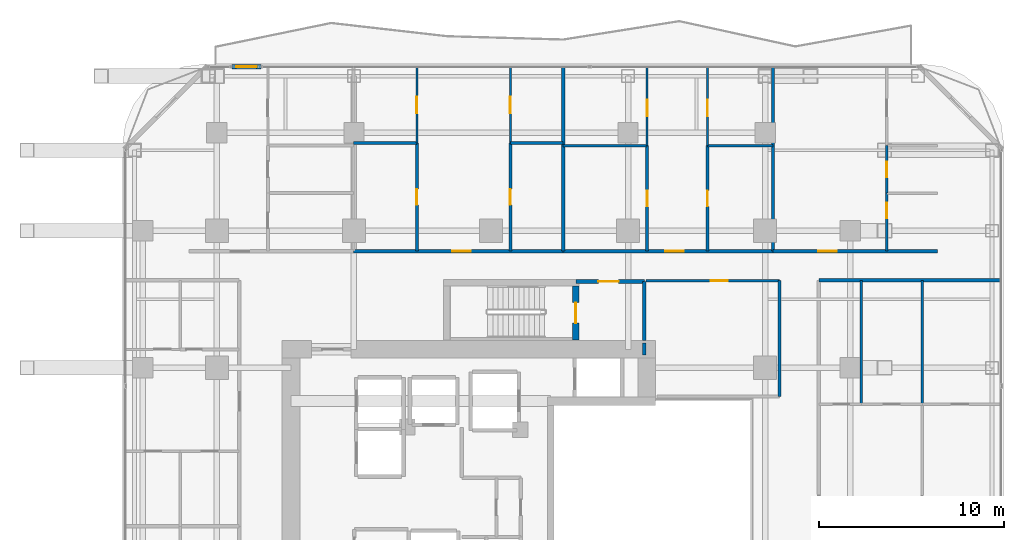
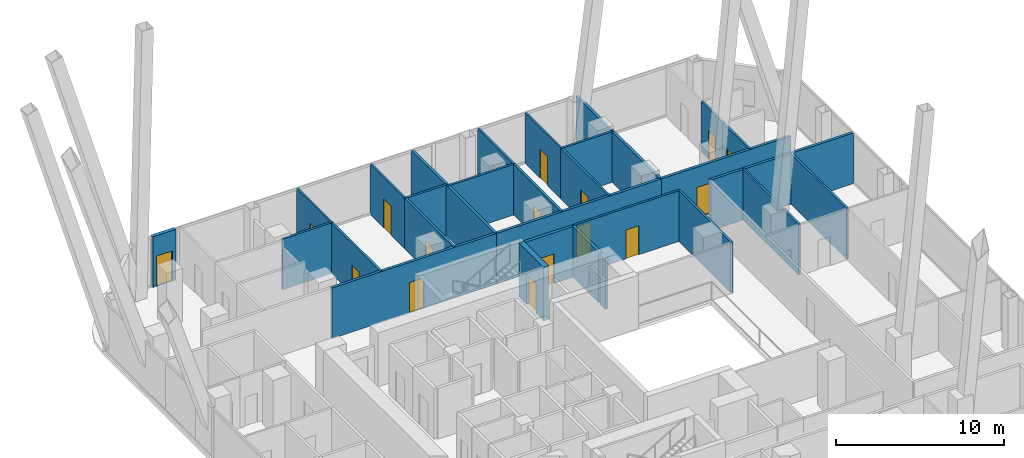
# One storey, part 28 of 32: 29 walls, 17 doors, 17 openings.
"""IFC4 building model written with IfcOpenShell, lengths in metres."""

from ifc_helpers import new_model, si_unit, direction, frame, frame_2d, origin, place, context, subcontext, project, spatial, rectangle, extrude, material, layer, layer_set, type_object, element, fill, save


model = new_model("IFC4")

# Units and contexts
model_context = context("Model", 3, precision=1e-05, world=origin(), true_north=direction((0.0, 1.0)))
body_context = subcontext(model_context, "Body", "Model", "MODEL_VIEW")
ifc_project = project(units=[si_unit("LENGTHUNIT", "METRE"), si_unit("AREAUNIT", "SQUARE_METRE"), si_unit("VOLUMEUNIT", "CUBIC_METRE"), si_unit("PLANEANGLEUNIT", "RADIAN"), si_unit("MASSUNIT", "GRAM", prefix="KILO")], contexts=[model_context])

# Site, building, storey
site_placement = place(None, origin())
site = spatial("IfcSite", under=ifc_project, at=site_placement, CompositionType="ELEMENT")
building_placement = place(site_placement, origin())
building = spatial("IfcBuilding", under=site, at=building_placement, Name="Khorvyn Point Tower", CompositionType="ELEMENT")
storey_placement = place(building_placement, frame((0.0, 0.0, 148.5)))
storey = spatial("IfcBuildingStorey", under=building, at=storey_placement, Name="L37", CompositionType="ELEMENT", Elevation=148.5)

# Wall, opening, door
ifc_material_1 = material(Name="Double acoustic gypsum on twin steel stud", Category="steel")
ifc_layer_1 = layer(ifc_material_1, 0.179931640625)
ifc_layer_set_1 = layer_set([ifc_layer_1], Name="Acoustic Double-Stud Apartment Demising Wall 180")
wall_type_1 = type_object("IfcWallType", Name="Acoustic Double-Stud Apartment Demising Wall 180", PredefinedType="PARTITIONING", material=ifc_layer_set_1)
wall_1_placement = place(storey_placement, frame((-7.423095703125, 13.699951171875, 0.0), z_axis=(0.0, 0.0, 1.0), x_axis=(1.0, 0.0, 0.0)))
wall_1 = element("IfcWall", 1, at=wall_1_placement, inside=storey, type_object=wall_type_1, Name="Wall", PredefinedType="PARTITIONING", context=body_context, shape_type="SweptSolid", body=[
    extrude(rectangle(XDim=11.322998046875, YDim=0.179931640625, at=frame_2d((5.66162109375, 0.0))), origin(), (0.0, 0.0, 1.0), 3.679931640625),
])
opening_1_placement = place(wall_1_placement, frame((5.340087890625, 0.0, 0.0)))
opening_1 = element("IfcOpeningElement", 2, at=opening_1_placement, cuts=wall_1, Name="Opening ID-AP60", PredefinedType="OPENING", context=body_context, shape_type="SweptSolid", body=[
    extrude(rectangle(XDim=1.0, YDim=2.199951171875, at=frame_2d((0.5, 1.10009765625))), frame((0.0, 0.099853515625, 0.0), z_axis=(0.0, -1.0, 0.0), x_axis=(1.0, 0.0, 0.0)), (0.0, 0.0, 1.0), 0.199951171875),
])
ifc_material_2 = material(Name="Engineered hardwood fire-rated leaf", Category="wood")
door_type_1 = type_object("IfcDoorType", Name="Acoustic Solid-Core Timber Apartment Entrance Door 1000x2200", OperationType="NOTDEFINED", PredefinedType="DOOR", material=ifc_material_2)
door_1_placement = place(opening_1_placement, origin())
door_1 = element("IfcDoor", 3, at=door_1_placement, inside=storey, type_object=door_type_1, Name="Door", OperationType="SINGLE_SWING_LEFT", OverallHeight=2.199951171875, OverallWidth=1.0, PredefinedType="DOOR", context=body_context, shape_type="SweptSolid", body=[
    extrude(rectangle(XDim=1.0, YDim=2.199951171875, at=frame_2d((0.5, 1.10009765625))), frame((0.0, 0.02490234375, 0.0), z_axis=(0.0, -1.0, 0.0), x_axis=(1.0, 0.0, 0.0)), (0.0, 0.0, 1.0), 0.050048828125),
])
fill(opening_1, door_1)

wall_2_placement = place(storey_placement, frame((3.89990234375, 13.699951171875, 0.0), z_axis=(0.0, 0.0, 1.0), x_axis=(1.0, 0.0, 0.0)))
wall_2 = element("IfcWall", 4, at=wall_2_placement, inside=storey, type_object=wall_type_1, Name="Wall", PredefinedType="PARTITIONING", context=body_context, shape_type="SweptSolid", body=[
    extrude(rectangle(XDim=11.322998046875, YDim=0.179931640625, at=frame_2d((5.66162109375, 0.0))), origin(), (0.0, 0.0, 1.0), 3.679931640625),
])
opening_2_placement = place(wall_2_placement, frame((5.518798828125, 0.0, 0.0)))
opening_2 = element("IfcOpeningElement", 5, at=opening_2_placement, cuts=wall_2, Name="Opening ID-AP60", PredefinedType="OPENING", context=body_context, shape_type="SweptSolid", body=[
    extrude(rectangle(XDim=1.0, YDim=2.199951171875, at=frame_2d((0.5, 1.10009765625))), frame((0.0, 0.099853515625, 0.0), z_axis=(0.0, -1.0, 0.0), x_axis=(1.0, 0.0, 0.0)), (0.0, 0.0, 1.0), 0.199951171875),
])
door_2_placement = place(opening_2_placement, origin())
door_2 = element("IfcDoor", 6, at=door_2_placement, inside=storey, type_object=door_type_1, Name="Door", OperationType="SINGLE_SWING_RIGHT", OverallHeight=2.199951171875, OverallWidth=1.0, PredefinedType="DOOR", context=body_context, shape_type="SweptSolid", body=[
    extrude(rectangle(XDim=1.0, YDim=2.199951171875, at=frame_2d((0.5, 1.10009765625))), frame((0.0, 0.02490234375, 0.0), z_axis=(0.0, -1.0, 0.0), x_axis=(1.0, 0.0, 0.0)), (0.0, 0.0, 1.0), 0.050048828125),
])
fill(opening_2, door_2)

wall_3_placement = place(storey_placement, frame((15.222900390625, 13.699951171875, 0.0), z_axis=(0.0, 0.0, 1.0), x_axis=(1.0, 0.0, 0.0)))
wall_3 = element("IfcWall", 7, at=wall_3_placement, inside=storey, type_object=wall_type_1, Name="Wall", PredefinedType="PARTITIONING", context=body_context, shape_type="SweptSolid", body=[
    extrude(rectangle(XDim=8.897216796875, YDim=0.179931640625, at=frame_2d((4.44873046875, 0.0))), origin(), (0.0, 0.0, 1.0), 3.679931640625),
])
opening_3_placement = place(wall_3_placement, frame((2.45068359375, 0.0, 0.0)))
opening_3 = element("IfcOpeningElement", 8, at=opening_3_placement, cuts=wall_3, Name="Opening ID-AP60", PredefinedType="OPENING", context=body_context, shape_type="SweptSolid", body=[
    extrude(rectangle(XDim=1.0, YDim=2.199951171875, at=frame_2d((0.5, 1.10009765625))), frame((0.0, 0.099853515625, 0.0), z_axis=(0.0, -1.0, 0.0), x_axis=(1.0, 0.0, 0.0)), (0.0, 0.0, 1.0), 0.199951171875),
])
door_3_placement = place(opening_3_placement, origin())
door_3 = element("IfcDoor", 9, at=door_3_placement, inside=storey, type_object=door_type_1, Name="Door", OperationType="SINGLE_SWING_LEFT", OverallHeight=2.199951171875, OverallWidth=1.0, PredefinedType="DOOR", context=body_context, shape_type="SweptSolid", body=[
    extrude(rectangle(XDim=1.0, YDim=2.199951171875, at=frame_2d((0.5, 1.10009765625))), frame((0.0, 0.02490234375, 0.0), z_axis=(0.0, -1.0, 0.0), x_axis=(1.0, 0.0, 0.0)), (0.0, 0.0, 1.0), 0.050048828125),
])
fill(opening_3, door_3)

# Walls
for number, where, z_axis, x_axis, name in (
    (10, (3.89990234375, 13.699951171875, 0.0), (0.0, 0.0, 1.0), (0.0, 1.0, 0.0), "Wall"),
    (11, (15.222900390625, 13.699951171875, 0.0), (0.0, 0.0, 1.0), (0.0, 1.0, 0.0), "Wall"),
):
    element("IfcWall", number, at=place(storey_placement, frame(where, z_axis=z_axis, x_axis=x_axis)), inside=storey, type_object=wall_type_1, Name=name, PredefinedType="PARTITIONING", context=body_context, shape_type="SweptSolid", body=[
        extrude(rectangle(XDim=9.929931640625, YDim=0.179931640625, at=frame_2d((4.96484375, 0.0))), origin(), (0.0, 0.0, 1.0), 3.679931640625),
    ])
wall_4_placement = place(storey_placement, frame((17.699951171875, 12.1201171875, 0.0), z_axis=(0.0, 0.0, 1.0), x_axis=(1.0, 0.0, 0.0)))
element("IfcWall", 12, at=wall_4_placement, inside=storey, type_object=wall_type_1, Name="Wall", PredefinedType="PARTITIONING", context=body_context, shape_type="SweptSolid", body=[
    extrude(rectangle(XDim=9.830078125, YDim=0.179931640625, at=frame_2d((4.9150390625, 0.0))), origin(), (0.0, 0.0, 1.0), 3.679931640625),
])

# Wall, opening, door
ifc_material_3 = material(Name="Pale anodised aluminium rainscreen on steel stud", Category="steel")
ifc_layer_2 = layer(ifc_material_3, 0.239990234375)
ifc_layer_set_2 = layer_set([ifc_layer_2], Name="Anodised Aluminium Insulated Corner Spandrel Wall 240")
wall_type_2 = type_object("IfcWallType", Name="Anodised Aluminium Insulated Corner Spandrel Wall 240", PredefinedType="SOLIDWALL", material=ifc_layer_set_2)
wall_5_placement = place(storey_placement, frame((-13.9990234375, 23.64990234375, 0.0), z_axis=(0.0, 0.0, 1.0), x_axis=(1.0, 0.0, 0.0)))
wall_5 = element("IfcWall", 13, at=wall_5_placement, inside=storey, type_object=wall_type_2, Name="L37 North Outdoor Threshold Wall", PredefinedType="SOLIDWALL", context=body_context, shape_type="SweptSolid", body=[
    extrude(rectangle(XDim=1.580078125, YDim=0.239990234375, at=frame_2d((0.7900390625, 0.0))), origin(), (0.0, 0.0, 1.0), 3.679931640625),
])
opening_4_placement = place(wall_5_placement, frame((0.239990234375, 0.0, 0.0)))
opening_4 = element("IfcOpeningElement", 14, at=opening_4_placement, cuts=wall_5, Name="Opening BD-1122", PredefinedType="OPENING", context=body_context, shape_type="SweptSolid", body=[
    extrude(rectangle(XDim=1.10009765625, YDim=2.199951171875, at=frame_2d((0.550048828125, 1.10009765625))), frame((0.0, 0.1298828125, 0.0), z_axis=(0.0, -1.0, 0.0), x_axis=(1.0, 0.0, 0.0)), (0.0, 0.0, 1.0), 0.260009765625),
])
ifc_material_4 = material(Name="Anodised aluminium 6063-T6 and laminated Low-E glass", Category="aluminium")
door_type_2 = type_object("IfcDoorType", Name="Glazed Balcony and Terrace Threshold Door 1100x2200", OperationType="NOTDEFINED", PredefinedType="DOOR", material=ifc_material_4)
door_4_placement = place(opening_4_placement, origin())
door_4 = element("IfcDoor", 15, at=door_4_placement, inside=storey, type_object=door_type_2, Name="L37 North Glazed Balcony Outdoor Door", OperationType="SINGLE_SWING_LEFT", OverallHeight=2.199951171875, OverallWidth=1.10009765625, PredefinedType="DOOR", context=body_context, shape_type="SweptSolid", body=[
    extrude(rectangle(XDim=1.10009765625, YDim=2.199951171875, at=frame_2d((0.550048828125, 1.10009765625))), frame((0.0, 0.02490234375, 0.0), z_axis=(0.0, -1.0, 0.0), x_axis=(1.0, 0.0, 0.0)), (0.0, 0.0, 1.0), 0.050048828125),
])
fill(opening_4, door_4)

ifc_material_5 = material(Name="Concrete C40/50", Category="concrete")
ifc_layer_3 = layer(ifc_material_5, 0.199951171875)
ifc_layer_set_3 = layer_set([ifc_layer_3], Name="Concrete C40/50 Fire-Lobby Compartment Wall 200")
wall_type_3 = type_object("IfcWallType", Name="Concrete C40/50 Fire-Lobby Compartment Wall 200", PredefinedType="SOLIDWALL", material=ifc_layer_set_3)
wall_6_placement = place(storey_placement, frame((4.580078125, 12.06005859375, 0.0), z_axis=(0.0, 0.0, 1.0), x_axis=(1.0, 0.0, 0.0)))
wall_6 = element("IfcWall", 16, at=wall_6_placement, inside=storey, type_object=wall_type_3, Name="Wall", PredefinedType="SOLIDWALL", context=body_context, shape_type="SweptSolid", body=[
    extrude(rectangle(XDim=3.699951171875, YDim=0.199951171875, at=frame_2d((1.85009765625, 0.0))), origin(), (0.0, 0.0, 1.0), 3.679931640625),
])
opening_5_placement = place(wall_6_placement, frame((1.21240234375, 0.0, 0.0)))
opening_5 = element("IfcOpeningElement", 17, at=opening_5_placement, cuts=wall_6, Name="Opening ID-FL90", PredefinedType="OPENING", context=body_context, shape_type="SweptSolid", body=[
    extrude(rectangle(XDim=1.10009765625, YDim=2.14990234375, at=frame_2d((0.550048828125, 1.074951171875))), frame((0.0, 0.10986328125, 0.0), z_axis=(0.0, -1.0, 0.0), x_axis=(1.0, 0.0, 0.0)), (0.0, 0.0, 1.0), 0.219970703125),
])
ifc_material_6 = material(Name="Galvanised powder-coated steel", Category="steel")
door_type_3 = type_object("IfcDoorType", Name="Fire-Rated Steel Lobby and Stair Door 1100x2150", OperationType="NOTDEFINED", PredefinedType="DOOR", material=ifc_material_6)
door_5_placement = place(opening_5_placement, origin())
door_5 = element("IfcDoor", 18, at=door_5_placement, inside=storey, type_object=door_type_3, Name="Door", OperationType="SINGLE_SWING_LEFT", OverallHeight=2.14990234375, OverallWidth=1.10009765625, PredefinedType="DOOR", context=body_context, shape_type="SweptSolid", body=[
    extrude(rectangle(XDim=1.10009765625, YDim=2.14990234375, at=frame_2d((0.550048828125, 1.074951171875))), frame((0.0, 0.02490234375, 0.0), z_axis=(0.0, -1.0, 0.0), x_axis=(1.0, 0.0, 0.0)), (0.0, 0.0, 1.0), 0.050048828125),
])
fill(opening_5, door_5)

# Walls
wall_7_placement = place(storey_placement, frame((8.280029296875, 8.875, 0.0), z_axis=(0.0, 0.0, 1.0), x_axis=(0.0, 1.0, 0.0)))
element("IfcWall", 19, at=wall_7_placement, inside=storey, type_object=wall_type_3, Name="Wall", PredefinedType="SOLIDWALL", context=body_context, shape_type="SweptSolid", body=[
    extrude(rectangle(XDim=3.18505859375, YDim=0.199951171875, at=frame_2d((1.592529296875, 0.0))), origin(), (0.0, 0.0, 1.0), 3.679931640625),
])
wall_8_placement = place(storey_placement, frame((8.280029296875, 8.10009765625, 0.0), z_axis=(0.0, 0.0, 1.0), x_axis=(0.0, 1.0, 0.0)))
element("IfcWall", 20, at=wall_8_placement, inside=storey, type_object=wall_type_3, Name="Wall", PredefinedType="SOLIDWALL", context=body_context, shape_type="SweptSolid", body=[
    extrude(rectangle(XDim=0.625, YDim=0.199951171875, at=frame_2d((0.3125, 0.0))), origin(), (0.0, 0.0, 1.0), 3.679931640625),
])

# Wall, opening, door
ifc_layer_4 = layer(ifc_material_5, 0.35009765625)
ifc_layer_set_4 = layer_set([ifc_layer_4], Name="Concrete C40/50 Stair Shaft Structural Wall 350")
wall_type_4 = type_object("IfcWallType", Name="Concrete C40/50 Stair Shaft Structural Wall 350", PredefinedType="SHEAR", material=ifc_layer_set_4)
wall_9_placement = place(storey_placement, frame((4.580078125, 11.824951171875, 0.0), z_axis=(0.0, 0.0, 1.0), x_axis=(0.0, -1.0, 0.0)))
wall_9 = element("IfcWall", 21, at=wall_9_placement, inside=storey, type_object=wall_type_4, Name="L37 ST-02 East Landing Door Wall", PredefinedType="SHEAR", context=body_context, shape_type="SweptSolid", body=[
    extrude(rectangle(XDim=2.925048828125, YDim=0.35009765625, at=frame_2d((1.46240234375, 0.0))), origin(), (0.0, 0.0, 1.0), 3.89990234375),
])
opening_6_placement = place(wall_9_placement, frame((0.91259765625, 0.0, 0.0)))
opening_6 = element("IfcOpeningElement", 22, at=opening_6_placement, cuts=wall_9, Name="Opening ID-FL90", PredefinedType="OPENING", context=body_context, shape_type="SweptSolid", body=[
    extrude(rectangle(XDim=1.10009765625, YDim=2.14990234375, at=frame_2d((0.550048828125, 1.074951171875))), frame((0.0, 0.18505859375, 0.0), z_axis=(0.0, -1.0, 0.0), x_axis=(1.0, 0.0, 0.0)), (0.0, 0.0, 1.0), 0.3701171875),
])
door_6_placement = place(opening_6_placement, origin())
door_6 = element("IfcDoor", 23, at=door_6_placement, inside=storey, type_object=door_type_3, Name="L37 ST-02 Smokeproof Landing Door", OperationType="SINGLE_SWING_RIGHT", OverallHeight=2.14990234375, OverallWidth=1.10009765625, PredefinedType="DOOR", context=body_context, shape_type="SweptSolid", body=[
    extrude(rectangle(XDim=1.10009765625, YDim=2.14990234375, at=frame_2d((0.550048828125, 1.074951171875))), frame((0.0, 0.02490234375, 0.0), z_axis=(0.0, -1.0, 0.0), x_axis=(1.0, 0.0, 0.0)), (0.0, 0.0, 1.0), 0.050048828125),
])
fill(opening_6, door_6)

ifc_material_7 = material(Name="Gypsum plasterboard on steel stud", Category="steel")
ifc_layer_5 = layer(ifc_material_7, 0.1201171875)
ifc_layer_set_5 = layer_set([ifc_layer_5], Name="Gypsum Acoustic Stud Room Partition Wall 120")
wall_type_5 = type_object("IfcWallType", Name="Gypsum Acoustic Stud Room Partition Wall 120", PredefinedType="PARTITIONING", material=ifc_layer_set_5)
wall_10_placement = place(storey_placement, frame((-4.0009765625, 19.544921875, 0.0), z_axis=(0.0, 0.0, 1.0), x_axis=(0.0, 1.0, 0.0)))
wall_10 = element("IfcWall", 24, at=wall_10_placement, inside=storey, type_object=wall_type_5, Name="Wall", PredefinedType="PARTITIONING", context=body_context, shape_type="SweptSolid", body=[
    extrude(rectangle(XDim=4.0849609375, YDim=0.1201171875, at=frame_2d((2.04248046875, 0.0))), origin(), (0.0, 0.0, 1.0), 3.679931640625),
])
opening_7_placement = place(wall_10_placement, frame((1.592529296875, 0.0, 0.0)))
opening_7 = element("IfcOpeningElement", 25, at=opening_7_placement, cuts=wall_10, Name="Opening ID-RM90", PredefinedType="OPENING", context=body_context, shape_type="SweptSolid", body=[
    extrude(rectangle(XDim=0.89990234375, YDim=2.10009765625, at=frame_2d((0.449951171875, 1.050048828125))), frame((0.0, 0.070068359375, 0.0), z_axis=(0.0, -1.0, 0.0), x_axis=(1.0, 0.0, 0.0)), (0.0, 0.0, 1.0), 0.14013671875),
])
ifc_material_8 = material(Name="Engineered oak veneer timber", Category="wood")
door_type_4 = type_object("IfcDoorType", Name="Flush Engineered Timber Room Door 900x2100", OperationType="NOTDEFINED", PredefinedType="DOOR", material=ifc_material_8)
door_7_placement = place(opening_7_placement, origin())
door_7 = element("IfcDoor", 26, at=door_7_placement, inside=storey, type_object=door_type_4, Name="Door", OperationType="SINGLE_SWING_LEFT", OverallHeight=2.10009765625, OverallWidth=0.89990234375, PredefinedType="DOOR", context=body_context, shape_type="SweptSolid", body=[
    extrude(rectangle(XDim=0.89990234375, YDim=2.10009765625, at=frame_2d((0.449951171875, 1.050048828125))), frame((0.0, 0.02490234375, 0.0), z_axis=(0.0, -1.0, 0.0), x_axis=(1.0, 0.0, 0.0)), (0.0, 0.0, 1.0), 0.050048828125),
])
fill(opening_7, door_7)

wall_11_placement = place(storey_placement, frame((1.050048828125, 19.544921875, 0.0), z_axis=(0.0, 0.0, 1.0), x_axis=(0.0, 1.0, 0.0)))
wall_11 = element("IfcWall", 27, at=wall_11_placement, inside=storey, type_object=wall_type_5, Name="Wall", PredefinedType="PARTITIONING", context=body_context, shape_type="SweptSolid", body=[
    extrude(rectangle(XDim=4.0849609375, YDim=0.1201171875, at=frame_2d((2.04248046875, 0.0))), origin(), (0.0, 0.0, 1.0), 3.679931640625),
])
opening_8_placement = place(wall_11_placement, frame((1.592529296875, 0.0, 0.0)))
opening_8 = element("IfcOpeningElement", 28, at=opening_8_placement, cuts=wall_11, Name="Opening ID-RM90", PredefinedType="OPENING", context=body_context, shape_type="SweptSolid", body=[
    extrude(rectangle(XDim=0.89990234375, YDim=2.10009765625, at=frame_2d((0.449951171875, 1.050048828125))), frame((0.0, 0.070068359375, 0.0), z_axis=(0.0, -1.0, 0.0), x_axis=(1.0, 0.0, 0.0)), (0.0, 0.0, 1.0), 0.14013671875),
])
door_8_placement = place(opening_8_placement, origin())
door_8 = element("IfcDoor", 29, at=door_8_placement, inside=storey, type_object=door_type_4, Name="Door", OperationType="SINGLE_SWING_LEFT", OverallHeight=2.10009765625, OverallWidth=0.89990234375, PredefinedType="DOOR", context=body_context, shape_type="SweptSolid", body=[
    extrude(rectangle(XDim=0.89990234375, YDim=2.10009765625, at=frame_2d((0.449951171875, 1.050048828125))), frame((0.0, 0.02490234375, 0.0), z_axis=(0.0, -1.0, 0.0), x_axis=(1.0, 0.0, 0.0)), (0.0, 0.0, 1.0), 0.050048828125),
])
fill(opening_8, door_8)

wall_12_placement = place(storey_placement, frame((8.428955078125, 19.389892578125, 0.0), z_axis=(0.0, 0.0, 1.0), x_axis=(0.0, 1.0, 0.0)))
wall_12 = element("IfcWall", 30, at=wall_12_placement, inside=storey, type_object=wall_type_5, Name="Wall", PredefinedType="PARTITIONING", context=body_context, shape_type="SweptSolid", body=[
    extrude(rectangle(XDim=4.239990234375, YDim=0.1201171875, at=frame_2d((2.1201171875, 0.0))), origin(), (0.0, 0.0, 1.0), 3.679931640625),
])
opening_9_placement = place(wall_12_placement, frame((1.581298828125, 0.0, 0.0)))
opening_9 = element("IfcOpeningElement", 31, at=opening_9_placement, cuts=wall_12, Name="Opening ID-RM90", PredefinedType="OPENING", context=body_context, shape_type="SweptSolid", body=[
    extrude(rectangle(XDim=0.89990234375, YDim=2.10009765625, at=frame_2d((0.449951171875, 1.050048828125))), frame((0.0, 0.070068359375, 0.0), z_axis=(0.0, -1.0, 0.0), x_axis=(1.0, 0.0, 0.0)), (0.0, 0.0, 1.0), 0.14013671875),
])
door_9_placement = place(opening_9_placement, origin())
door_9 = element("IfcDoor", 32, at=door_9_placement, inside=storey, type_object=door_type_4, Name="Door", OperationType="SINGLE_SWING_RIGHT", OverallHeight=2.10009765625, OverallWidth=0.89990234375, PredefinedType="DOOR", context=body_context, shape_type="SweptSolid", body=[
    extrude(rectangle(XDim=0.89990234375, YDim=2.10009765625, at=frame_2d((0.449951171875, 1.050048828125))), frame((0.0, 0.02490234375, 0.0), z_axis=(0.0, -1.0, 0.0), x_axis=(1.0, 0.0, 0.0)), (0.0, 0.0, 1.0), 0.050048828125),
])
fill(opening_9, door_9)

wall_13_placement = place(storey_placement, frame((11.68994140625, 19.389892578125, 0.0), z_axis=(0.0, 0.0, 1.0), x_axis=(0.0, 1.0, 0.0)))
wall_13 = element("IfcWall", 33, at=wall_13_placement, inside=storey, type_object=wall_type_5, Name="Wall", PredefinedType="PARTITIONING", context=body_context, shape_type="SweptSolid", body=[
    extrude(rectangle(XDim=4.239990234375, YDim=0.1201171875, at=frame_2d((2.1201171875, 0.0))), origin(), (0.0, 0.0, 1.0), 3.679931640625),
])
opening_10_placement = place(wall_13_placement, frame((1.581298828125, 0.0, 0.0)))
opening_10 = element("IfcOpeningElement", 34, at=opening_10_placement, cuts=wall_13, Name="Opening ID-RM90", PredefinedType="OPENING", context=body_context, shape_type="SweptSolid", body=[
    extrude(rectangle(XDim=0.89990234375, YDim=2.10009765625, at=frame_2d((0.449951171875, 1.050048828125))), frame((0.0, 0.070068359375, 0.0), z_axis=(0.0, -1.0, 0.0), x_axis=(1.0, 0.0, 0.0)), (0.0, 0.0, 1.0), 0.14013671875),
])
door_10_placement = place(opening_10_placement, origin())
door_10 = element("IfcDoor", 35, at=door_10_placement, inside=storey, type_object=door_type_4, Name="Door", OperationType="SINGLE_SWING_RIGHT", OverallHeight=2.10009765625, OverallWidth=0.89990234375, PredefinedType="DOOR", context=body_context, shape_type="SweptSolid", body=[
    extrude(rectangle(XDim=0.89990234375, YDim=2.10009765625, at=frame_2d((0.449951171875, 1.050048828125))), frame((0.0, 0.02490234375, 0.0), z_axis=(0.0, -1.0, 0.0), x_axis=(1.0, 0.0, 0.0)), (0.0, 0.0, 1.0), 0.050048828125),
])
fill(opening_10, door_10)

ifc_material_9 = material(Name="Moisture-resistant gypsum and cement board", Category="gypsum")
ifc_layer_6 = layer(ifc_material_9, 0.14990234375)
ifc_layer_set_6 = layer_set([ifc_layer_6], Name="Moisture-Resistant Wet-Room Partition Wall 150")
wall_type_6 = type_object("IfcWallType", Name="Moisture-Resistant Wet-Room Partition Wall 150", PredefinedType="PARTITIONING", material=ifc_layer_set_6)
wall_14_placement = place(storey_placement, frame((8.360107421875, 12.10009765625, 0.0), z_axis=(0.0, 0.0, 1.0), x_axis=(1.0, 0.0, 0.0)))
wall_14 = element("IfcWall", 36, at=wall_14_placement, inside=storey, type_object=wall_type_6, Name="Wall", PredefinedType="PARTITIONING", context=body_context, shape_type="SweptSolid", body=[
    extrude(rectangle(XDim=7.219970703125, YDim=0.14990234375, at=frame_2d((3.60986328125, 0.0))), origin(), (0.0, 0.0, 1.0), 3.679931640625),
])
opening_11_placement = place(wall_14_placement, frame((3.512939453125, 0.0, 0.0)))
opening_11 = element("IfcOpeningElement", 37, at=opening_11_placement, cuts=wall_14, Name="Opening ID-RM90", PredefinedType="OPENING", context=body_context, shape_type="SweptSolid", body=[
    extrude(rectangle(XDim=0.89990234375, YDim=2.10009765625, at=frame_2d((0.449951171875, 1.050048828125))), frame((0.0, 0.0849609375, 0.0), z_axis=(0.0, -1.0, 0.0), x_axis=(1.0, 0.0, 0.0)), (0.0, 0.0, 1.0), 0.169921875),
])
door_11_placement = place(opening_11_placement, origin())
door_11 = element("IfcDoor", 38, at=door_11_placement, inside=storey, type_object=door_type_4, Name="Door", OperationType="SINGLE_SWING_RIGHT", OverallHeight=2.10009765625, OverallWidth=0.89990234375, PredefinedType="DOOR", context=body_context, shape_type="SweptSolid", body=[
    extrude(rectangle(XDim=0.89990234375, YDim=2.10009765625, at=frame_2d((0.449951171875, 1.050048828125))), frame((0.0, 0.02490234375, 0.0), z_axis=(0.0, -1.0, 0.0), x_axis=(1.0, 0.0, 0.0)), (0.0, 0.0, 1.0), 0.050048828125),
])
fill(opening_11, door_11)

wall_15_placement = place(storey_placement, frame((-4.0009765625, 13.699951171875, 0.0), z_axis=(0.0, 0.0, 1.0), x_axis=(0.0, 1.0, 0.0)))
wall_15 = element("IfcWall", 39, at=wall_15_placement, inside=storey, type_object=wall_type_6, Name="Wall", PredefinedType="PARTITIONING", context=body_context, shape_type="SweptSolid", body=[
    extrude(rectangle(XDim=5.844970703125, YDim=0.14990234375, at=frame_2d((2.92236328125, 0.0))), origin(), (0.0, 0.0, 1.0), 3.679931640625),
])
opening_12_placement = place(wall_15_placement, frame((2.49755859375, 0.0, 0.0)))
opening_12 = element("IfcOpeningElement", 40, at=opening_12_placement, cuts=wall_15, Name="Opening ID-WC85", PredefinedType="OPENING", context=body_context, shape_type="SweptSolid", body=[
    extrude(rectangle(XDim=0.85009765625, YDim=2.10009765625, at=frame_2d((0.425048828125, 1.050048828125))), frame((0.0, 0.0849609375, 0.0), z_axis=(0.0, -1.0, 0.0), x_axis=(1.0, 0.0, 0.0)), (0.0, 0.0, 1.0), 0.169921875),
])
ifc_material_10 = material(Name="High-pressure laminate on moisture-resistant core", Category="wood")
door_type_5 = type_object("IfcDoorType", Name="Moisture-Resistant Accessible Washroom Door 850x2100", OperationType="NOTDEFINED", PredefinedType="DOOR", material=ifc_material_10)
door_12_placement = place(opening_12_placement, origin())
door_12 = element("IfcDoor", 41, at=door_12_placement, inside=storey, type_object=door_type_5, Name="Door", OperationType="SINGLE_SWING_RIGHT", OverallHeight=2.10009765625, OverallWidth=0.85009765625, PredefinedType="DOOR", context=body_context, shape_type="SweptSolid", body=[
    extrude(rectangle(XDim=0.85009765625, YDim=2.10009765625, at=frame_2d((0.425048828125, 1.050048828125))), frame((0.0, 0.02490234375, 0.0), z_axis=(0.0, -1.0, 0.0), x_axis=(1.0, 0.0, 0.0)), (0.0, 0.0, 1.0), 0.050048828125),
])
fill(opening_12, door_12)

wall_16_placement = place(storey_placement, frame((1.050048828125, 13.699951171875, 0.0), z_axis=(0.0, 0.0, 1.0), x_axis=(0.0, 1.0, 0.0)))
wall_16 = element("IfcWall", 42, at=wall_16_placement, inside=storey, type_object=wall_type_6, Name="Wall", PredefinedType="PARTITIONING", context=body_context, shape_type="SweptSolid", body=[
    extrude(rectangle(XDim=5.844970703125, YDim=0.14990234375, at=frame_2d((2.92236328125, 0.0))), origin(), (0.0, 0.0, 1.0), 3.679931640625),
])
opening_13_placement = place(wall_16_placement, frame((2.49755859375, 0.0, 0.0)))
opening_13 = element("IfcOpeningElement", 43, at=opening_13_placement, cuts=wall_16, Name="Opening ID-WC85", PredefinedType="OPENING", context=body_context, shape_type="SweptSolid", body=[
    extrude(rectangle(XDim=0.85009765625, YDim=2.10009765625, at=frame_2d((0.425048828125, 1.050048828125))), frame((0.0, 0.0849609375, 0.0), z_axis=(0.0, -1.0, 0.0), x_axis=(1.0, 0.0, 0.0)), (0.0, 0.0, 1.0), 0.169921875),
])
door_13_placement = place(opening_13_placement, origin())
door_13 = element("IfcDoor", 44, at=door_13_placement, inside=storey, type_object=door_type_5, Name="Door", OperationType="SINGLE_SWING_RIGHT", OverallHeight=2.10009765625, OverallWidth=0.85009765625, PredefinedType="DOOR", context=body_context, shape_type="SweptSolid", body=[
    extrude(rectangle(XDim=0.85009765625, YDim=2.10009765625, at=frame_2d((0.425048828125, 1.050048828125))), frame((0.0, 0.02490234375, 0.0), z_axis=(0.0, -1.0, 0.0), x_axis=(1.0, 0.0, 0.0)), (0.0, 0.0, 1.0), 0.050048828125),
])
fill(opening_13, door_13)

wall_17_placement = place(storey_placement, frame((8.428955078125, 13.699951171875, 0.0), z_axis=(0.0, 0.0, 1.0), x_axis=(0.0, 1.0, 0.0)))
wall_17 = element("IfcWall", 45, at=wall_17_placement, inside=storey, type_object=wall_type_6, Name="Wall", PredefinedType="PARTITIONING", context=body_context, shape_type="SweptSolid", body=[
    extrude(rectangle(XDim=5.68994140625, YDim=0.14990234375, at=frame_2d((2.844970703125, 0.0))), origin(), (0.0, 0.0, 1.0), 3.679931640625),
])
opening_14_placement = place(wall_17_placement, frame((2.419921875, 0.0, 0.0)))
opening_14 = element("IfcOpeningElement", 46, at=opening_14_placement, cuts=wall_17, Name="Opening ID-WC85", PredefinedType="OPENING", context=body_context, shape_type="SweptSolid", body=[
    extrude(rectangle(XDim=0.85009765625, YDim=2.10009765625, at=frame_2d((0.425048828125, 1.050048828125))), frame((0.0, 0.0849609375, 0.0), z_axis=(0.0, -1.0, 0.0), x_axis=(1.0, 0.0, 0.0)), (0.0, 0.0, 1.0), 0.169921875),
])
door_14_placement = place(opening_14_placement, origin())
door_14 = element("IfcDoor", 47, at=door_14_placement, inside=storey, type_object=door_type_5, Name="Door", OperationType="SINGLE_SWING_LEFT", OverallHeight=2.10009765625, OverallWidth=0.85009765625, PredefinedType="DOOR", context=body_context, shape_type="SweptSolid", body=[
    extrude(rectangle(XDim=0.85009765625, YDim=2.10009765625, at=frame_2d((0.425048828125, 1.050048828125))), frame((0.0, 0.02490234375, 0.0), z_axis=(0.0, -1.0, 0.0), x_axis=(1.0, 0.0, 0.0)), (0.0, 0.0, 1.0), 0.050048828125),
])
fill(opening_14, door_14)

wall_18_placement = place(storey_placement, frame((11.68994140625, 13.699951171875, 0.0), z_axis=(0.0, 0.0, 1.0), x_axis=(0.0, 1.0, 0.0)))
wall_18 = element("IfcWall", 48, at=wall_18_placement, inside=storey, type_object=wall_type_6, Name="Wall", PredefinedType="PARTITIONING", context=body_context, shape_type="SweptSolid", body=[
    extrude(rectangle(XDim=5.68994140625, YDim=0.14990234375, at=frame_2d((2.844970703125, 0.0))), origin(), (0.0, 0.0, 1.0), 3.679931640625),
])
opening_15_placement = place(wall_18_placement, frame((2.419921875, 0.0, 0.0)))
opening_15 = element("IfcOpeningElement", 49, at=opening_15_placement, cuts=wall_18, Name="Opening ID-WC85", PredefinedType="OPENING", context=body_context, shape_type="SweptSolid", body=[
    extrude(rectangle(XDim=0.85009765625, YDim=2.10009765625, at=frame_2d((0.425048828125, 1.050048828125))), frame((0.0, 0.0849609375, 0.0), z_axis=(0.0, -1.0, 0.0), x_axis=(1.0, 0.0, 0.0)), (0.0, 0.0, 1.0), 0.169921875),
])
door_15_placement = place(opening_15_placement, origin())
door_15 = element("IfcDoor", 50, at=door_15_placement, inside=storey, type_object=door_type_5, Name="Door", OperationType="SINGLE_SWING_LEFT", OverallHeight=2.10009765625, OverallWidth=0.85009765625, PredefinedType="DOOR", context=body_context, shape_type="SweptSolid", body=[
    extrude(rectangle(XDim=0.85009765625, YDim=2.10009765625, at=frame_2d((0.425048828125, 1.050048828125))), frame((0.0, 0.02490234375, 0.0), z_axis=(0.0, -1.0, 0.0), x_axis=(1.0, 0.0, 0.0)), (0.0, 0.0, 1.0), 0.050048828125),
])
fill(opening_15, door_15)

wall_19_placement = place(storey_placement, frame((21.3701171875, 13.699951171875, 0.0), z_axis=(0.0, 0.0, 1.0), x_axis=(0.0, 1.0, 0.0)))
wall_19 = element("IfcWall", 51, at=wall_19_placement, inside=storey, type_object=wall_type_6, Name="Wall", PredefinedType="PARTITIONING", context=body_context, shape_type="SweptSolid", body=[
    extrude(rectangle(XDim=3.129150390625, YDim=0.14990234375, at=frame_2d((1.564453125, 0.0))), origin(), (0.0, 0.0, 1.0), 3.679931640625),
])
opening_16_placement = place(wall_19_placement, frame((1.7626953125, 0.0, 0.0)))
opening_16 = element("IfcOpeningElement", 52, at=opening_16_placement, cuts=wall_19, Name="Opening ID-WC85", PredefinedType="OPENING", context=body_context, shape_type="SweptSolid", body=[
    extrude(rectangle(XDim=0.85009765625, YDim=2.10009765625, at=frame_2d((0.425048828125, 1.050048828125))), frame((0.0, 0.0849609375, 0.0), z_axis=(0.0, -1.0, 0.0), x_axis=(1.0, 0.0, 0.0)), (0.0, 0.0, 1.0), 0.169921875),
])
door_16_placement = place(opening_16_placement, origin())
door_16 = element("IfcDoor", 53, at=door_16_placement, inside=storey, type_object=door_type_5, Name="Door", OperationType="SINGLE_SWING_RIGHT", OverallHeight=2.10009765625, OverallWidth=0.85009765625, PredefinedType="DOOR", context=body_context, shape_type="SweptSolid", body=[
    extrude(rectangle(XDim=0.85009765625, YDim=2.10009765625, at=frame_2d((0.425048828125, 1.050048828125))), frame((0.0, 0.02490234375, 0.0), z_axis=(0.0, -1.0, 0.0), x_axis=(1.0, 0.0, 0.0)), (0.0, 0.0, 1.0), 0.050048828125),
])
fill(opening_16, door_16)

wall_20_placement = place(storey_placement, frame((21.3701171875, 16.8291015625, 0.0), z_axis=(0.0, 0.0, 1.0), x_axis=(0.0, 1.0, 0.0)))
wall_20 = element("IfcWall", 54, at=wall_20_placement, inside=storey, type_object=wall_type_6, Name="Wall", PredefinedType="PARTITIONING", context=body_context, shape_type="SweptSolid", body=[
    extrude(rectangle(XDim=2.560791015625, YDim=0.14990234375, at=frame_2d((1.2802734375, 0.0))), origin(), (0.0, 0.0, 1.0), 3.679931640625),
])
opening_17_placement = place(wall_20_placement, frame((0.85546875, 0.0, 0.0)))
opening_17 = element("IfcOpeningElement", 55, at=opening_17_placement, cuts=wall_20, Name="Opening ID-WC85", PredefinedType="OPENING", context=body_context, shape_type="SweptSolid", body=[
    extrude(rectangle(XDim=0.85009765625, YDim=2.10009765625, at=frame_2d((0.425048828125, 1.050048828125))), frame((0.0, 0.0849609375, 0.0), z_axis=(0.0, -1.0, 0.0), x_axis=(1.0, 0.0, 0.0)), (0.0, 0.0, 1.0), 0.169921875),
])
door_17_placement = place(opening_17_placement, origin())
door_17 = element("IfcDoor", 56, at=door_17_placement, inside=storey, type_object=door_type_5, Name="Door", OperationType="SINGLE_SWING_LEFT", OverallHeight=2.10009765625, OverallWidth=0.85009765625, PredefinedType="DOOR", context=body_context, shape_type="SweptSolid", body=[
    extrude(rectangle(XDim=0.85009765625, YDim=2.10009765625, at=frame_2d((0.425048828125, 1.050048828125))), frame((0.0, 0.02490234375, 0.0), z_axis=(0.0, -1.0, 0.0), x_axis=(1.0, 0.0, 0.0)), (0.0, 0.0, 1.0), 0.050048828125),
])
fill(opening_17, door_17)

# Walls
wall_21_placement = place(storey_placement, frame((15.580078125, 5.85009765625, 0.0), z_axis=(0.0, 0.0, 1.0), x_axis=(0.0, 1.0, 0.0)))
element("IfcWall", 57, at=wall_21_placement, inside=storey, type_object=wall_type_6, Name="Wall", PredefinedType="PARTITIONING", context=body_context, shape_type="SweptSolid", body=[
    extrude(rectangle(XDim=6.25, YDim=0.14990234375, at=frame_2d((3.125, 0.0))), origin(), (0.0, 0.0, 1.0), 3.679931640625),
])
wall_22_placement = place(storey_placement, frame((-7.423095703125, 19.544921875, 0.0), z_axis=(0.0, 0.0, 1.0), x_axis=(1.0, 0.0, 0.0)))
element("IfcWall", 58, at=wall_22_placement, inside=storey, type_object=wall_type_6, Name="Wall", PredefinedType="PARTITIONING", context=body_context, shape_type="SweptSolid", body=[
    extrude(rectangle(XDim=3.422119140625, YDim=0.14990234375, at=frame_2d((1.7109375, 0.0))), origin(), (0.0, 0.0, 1.0), 3.679931640625),
])
wall_23_placement = place(storey_placement, frame((1.050048828125, 19.544921875, 0.0), z_axis=(0.0, 0.0, 1.0), x_axis=(1.0, 0.0, 0.0)))
element("IfcWall", 59, at=wall_23_placement, inside=storey, type_object=wall_type_6, Name="Wall", PredefinedType="PARTITIONING", context=body_context, shape_type="SweptSolid", body=[
    extrude(rectangle(XDim=2.849853515625, YDim=0.14990234375, at=frame_2d((1.4248046875, 0.0))), origin(), (0.0, 0.0, 1.0), 3.679931640625),
])
wall_24_placement = place(storey_placement, frame((3.89990234375, 19.389892578125, 0.0), z_axis=(0.0, 0.0, 1.0), x_axis=(1.0, 0.0, 0.0)))
element("IfcWall", 60, at=wall_24_placement, inside=storey, type_object=wall_type_6, Name="Wall", PredefinedType="PARTITIONING", context=body_context, shape_type="SweptSolid", body=[
    extrude(rectangle(XDim=4.529052734375, YDim=0.14990234375, at=frame_2d((2.2646484375, 0.0))), origin(), (0.0, 0.0, 1.0), 3.679931640625),
])
wall_25_placement = place(storey_placement, frame((11.68994140625, 19.389892578125, 0.0), z_axis=(0.0, 0.0, 1.0), x_axis=(1.0, 0.0, 0.0)))
element("IfcWall", 61, at=wall_25_placement, inside=storey, type_object=wall_type_6, Name="Wall", PredefinedType="PARTITIONING", context=body_context, shape_type="SweptSolid", body=[
    extrude(rectangle(XDim=3.532958984375, YDim=0.14990234375, at=frame_2d((1.7666015625, 0.0))), origin(), (0.0, 0.0, 1.0), 3.679931640625),
])
for number, where, z_axis, x_axis, name in (
    (62, (19.991943359375, 5.43603515625, 0.0), (0.0, 0.0, 1.0), (0.0, 1.0, 0.0), "Wall"),
    (63, (23.2900390625, 5.43603515625, 0.0), (0.0, 0.0, 1.0), (0.0, 1.0, 0.0), "Wall"),
):
    element("IfcWall", number, at=place(storey_placement, frame(where, z_axis=z_axis, x_axis=x_axis)), inside=storey, type_object=wall_type_6, Name=name, PredefinedType="PARTITIONING", context=body_context, shape_type="SweptSolid", body=[
        extrude(rectangle(XDim=6.68408203125, YDim=0.14990234375, at=frame_2d((3.342041015625, 0.0))), origin(), (0.0, 0.0, 1.0), 3.679931640625),
    ])

save(model, "model.ifc")
